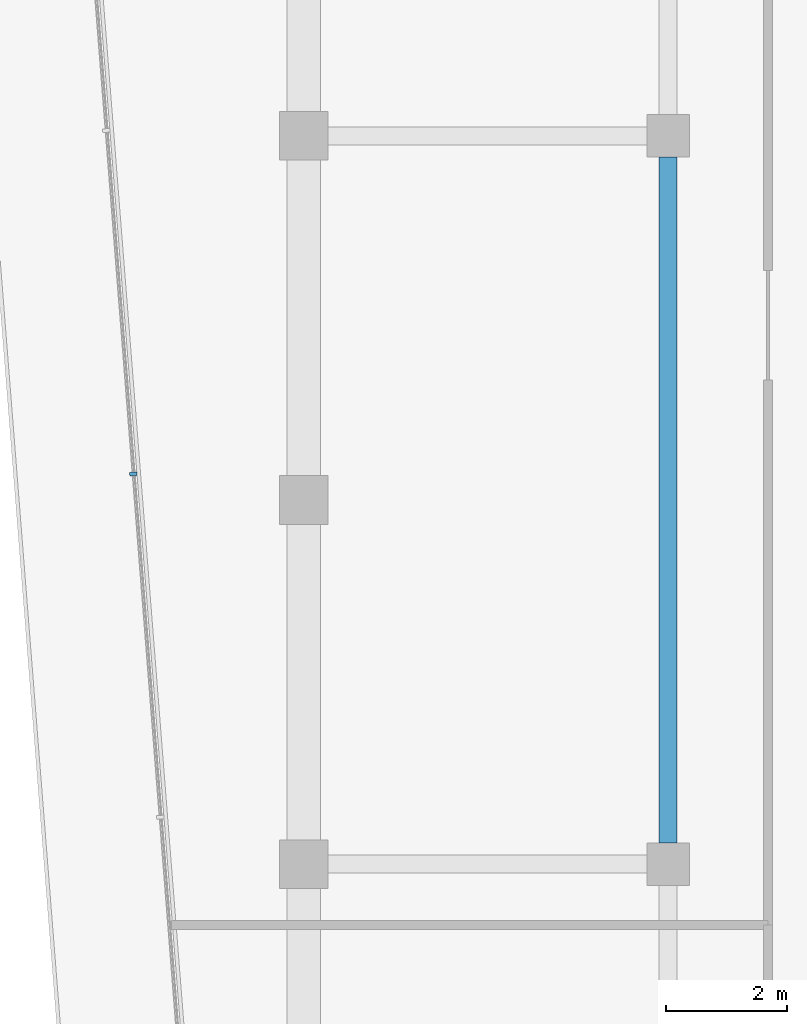
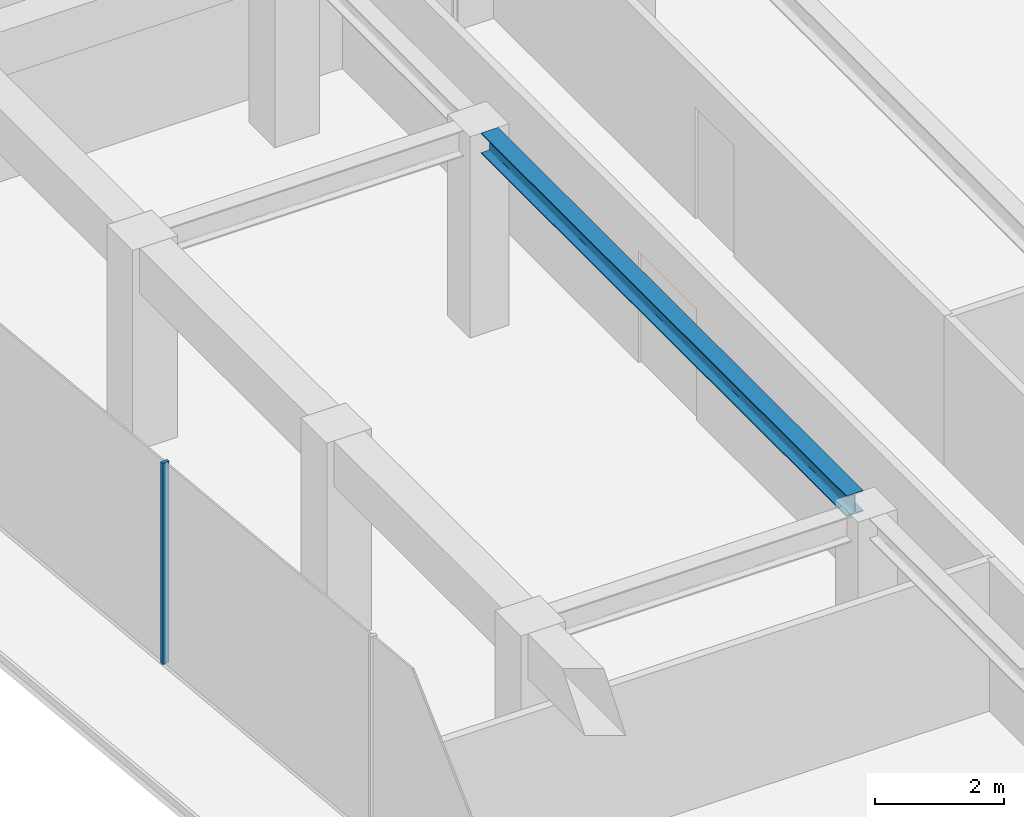
# One storey, part 11 of 23: 1 beam, 1 member, 1 element without a shape of its own.
"""IFC4 building model written with IfcOpenShell, lengths in metres."""

from ifc_helpers import new_model, si_unit, direction, frame, origin, origin_2d, place, context, subcontext, project, spatial, rectangle, i_section, extrude, material, layer, layer_set, material_profile, profile_set, type_object, element, aggregate, save


model = new_model("IFC4")

# Units and contexts
model_context = context("Model", 3, precision=1e-05, world=origin(), true_north=direction((0.0, 1.0)))
body_context = subcontext(model_context, "Body", "Model", "MODEL_VIEW")
ifc_project = project(units=[si_unit("LENGTHUNIT", "METRE"), si_unit("AREAUNIT", "SQUARE_METRE"), si_unit("VOLUMEUNIT", "CUBIC_METRE"), si_unit("PLANEANGLEUNIT", "RADIAN"), si_unit("MASSUNIT", "GRAM", prefix="KILO")], contexts=[model_context])

# Site, building, storey
site_placement = place(None, origin())
site = spatial("IfcSite", under=ifc_project, at=site_placement, CompositionType="ELEMENT")
building_placement = place(site_placement, origin())
building = spatial("IfcBuilding", under=site, at=building_placement, Name="Welwitschia Terrace Campus", CompositionType="ELEMENT")
storey_placement = place(building_placement, frame((0.0, 0.0, 209.60009765625)))
storey = spatial("IfcBuildingStorey", under=building, at=storey_placement, Name="L46", CompositionType="ELEMENT", Elevation=209.60009765625)

# Beam
ifc_material_1 = material(Name="Steel S355", Category="steel")
ifc_material_profile_1 = material_profile(ifc_material_1, i_section(OverallWidth=0.300048828125, OverallDepth=0.389892578125, WebThickness=0.010986328125, FlangeThickness=0.01904296875, FilletRadius=0.027099609375, at=origin_2d()))
ifc_profile_set_1 = profile_set([ifc_material_profile_1], Name="Steel S355")
beam_type = type_object("IfcBeamType", Name="Interior girder HE 400 A", PredefinedType="BEAM", material=ifc_profile_set_1)
beam_placement = place(storey_placement, frame((6.0, 52.3505859375, 3.60498046875), z_axis=(0.0, 1.0, 0.0), x_axis=(-1.0, 0.0, 0.0)))
element("IfcBeam", 1, at=beam_placement, inside=storey, type_object=beam_type, Name="Girder GB5", PredefinedType="BEAM", context=body_context, shape_type="SweptSolid", body=[
    extrude(i_section(OverallWidth=0.300048828125, OverallDepth=0.389892578125, WebThickness=0.010986328125, FlangeThickness=0.01904296875, FilletRadius=0.027099609375, at=origin_2d()), origin(), (0.0, 0.0, 1.0), 11.298828125),
])

# Curtain wall, member
ifc_material_2 = material(Name="Bronze anodised aluminium", Category="aluminium")
ifc_layer = layer(ifc_material_2, 0.1201171875)
ifc_layer_set = layer_set([ifc_layer], Name="Bronze anodised aluminium")
curtain_wall_type = type_object("IfcCurtainWallType", Name="Curtain wall CW2 tower 6000", PredefinedType="NOTDEFINED", material=ifc_layer_set)
curtain_wall_placement = place(storey_placement, origin())
curtain_wall = element("IfcCurtainWall", 2, at=curtain_wall_placement, inside=storey, type_object=curtain_wall_type, Name="CW L46.11.0", PredefinedType="NOTDEFINED")
ifc_material_3 = material(Name="Bronze anodised aluminium", Category="aluminium")
ifc_material_profile_2 = material_profile(ifc_material_3, rectangle(XDim=0.1201171875, YDim=0.06005859375, at=origin_2d()))
ifc_profile_set_2 = profile_set([ifc_material_profile_2], Name="Bronze anodised aluminium")
member_type = type_object("IfcMemberType", Name="Mullion 60x120", PredefinedType="MULLION", material=ifc_profile_set_2)
member_placement = place(storey_placement, frame((-2.81103515625, 58.43017578125, 0.0), z_axis=(0.0, 0.0, 1.0), x_axis=(0.996917333733, 0.078459095728, 0.0)))
member = element("IfcMember", 3, at=member_placement, type_object=member_type, Name="Mullion L46.11.0.2", PredefinedType="MULLION", context=body_context, shape_type="SweptSolid", body=[
    extrude(rectangle(XDim=0.1201171875, YDim=0.06005859375, at=origin_2d()), origin(), (0.0, 0.0, 1.0), 3.7998046875),
])
aggregate(curtain_wall, [member])

save(model, "model.ifc")
